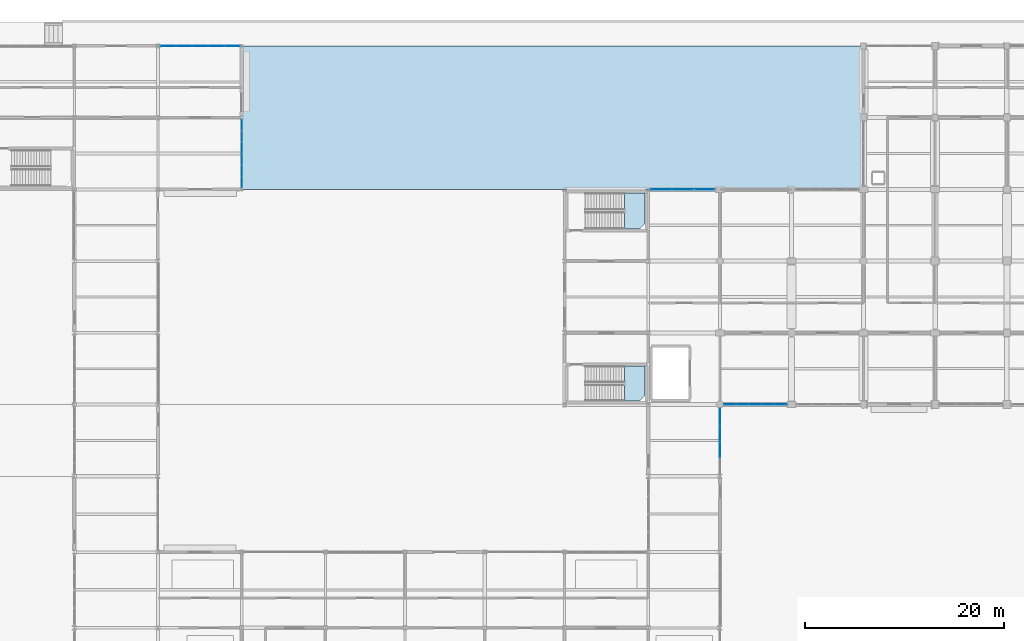
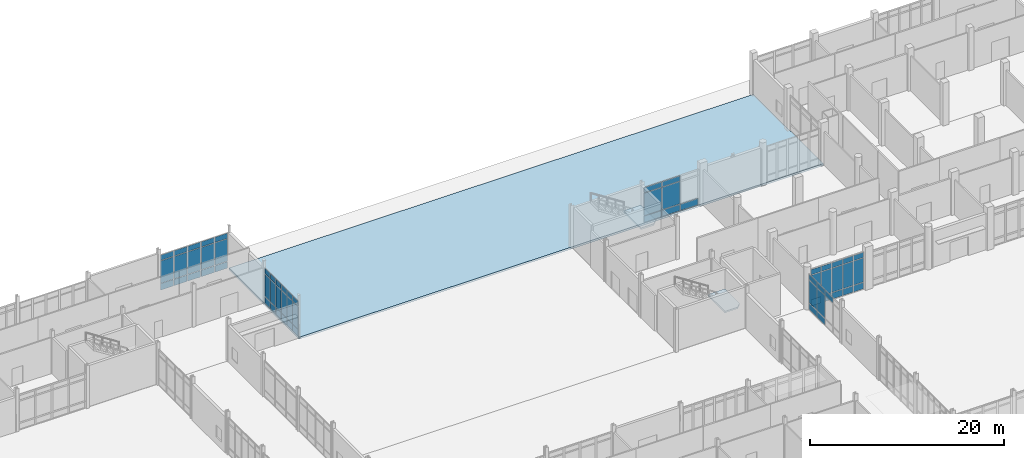
# One storey, part 152 of 229: 62 plates, 3 slabs, 7 elements without a shape of their own.
"""IFC4 building model written with IfcOpenShell, lengths in metres."""

from ifc_helpers import new_model, si_unit, direction, frame, origin, origin_2d, place, context, subcontext, project, spatial, polyline, rectangle, outline, extrude, material, layer, layer_set, type_object, element, aggregate, save


model = new_model("IFC4")

# Units and contexts
model_context = context("Model", 3, precision=1e-05, world=origin(), true_north=direction((0.0, 1.0)))
body_context = subcontext(model_context, "Body", "Model", "MODEL_VIEW")
ifc_project = project(units=[si_unit("LENGTHUNIT", "METRE"), si_unit("AREAUNIT", "SQUARE_METRE"), si_unit("VOLUMEUNIT", "CUBIC_METRE"), si_unit("PLANEANGLEUNIT", "RADIAN"), si_unit("MASSUNIT", "GRAM", prefix="KILO")], contexts=[model_context])

# Site, building, storey
site_placement = place(None, origin())
site = spatial("IfcSite", under=ifc_project, at=site_placement, CompositionType="ELEMENT")
building_placement = place(site_placement, origin())
building = spatial("IfcBuilding", under=site, at=building_placement, Name="Calvrana Isthmian Art Gallery", CompositionType="ELEMENT")
storey_placement = place(building_placement, origin())
storey = spatial("IfcBuildingStorey", under=building, at=storey_placement, Name="L00", CompositionType="ELEMENT", Elevation=0.0)

# Curtain wall, plates
ifc_material_1 = material(Name="Anodized bronze aluminium 6063-T6", Category="aluminium")
ifc_layer_1 = layer(ifc_material_1, 0.179931640625, Name="Anodized bronze aluminium 6063-T6")
ifc_layer_set_1 = layer_set([ifc_layer_1], Name="Anodized bronze aluminium 6063-T6")
curtain_wall_type_1 = type_object("IfcCurtainWallType", Name="CW-STICK-064X47", PredefinedType="NOTDEFINED", material=ifc_layer_set_1)
curtain_wall_1_placement = place(storey_placement, origin())
curtain_wall_1 = element("IfcCurtainWall", 1, at=curtain_wall_1_placement, inside=storey, type_object=curtain_wall_type_1, Name="Curtain wall CW-032", PredefinedType="NOTDEFINED")
ifc_material_2 = material(Name="Low-E laminated solar glass", Category="glass")
ifc_layer_2 = layer(ifc_material_2, 0.028076171875, Name="Low-E laminated solar glass")
ifc_layer_set_2 = layer_set([ifc_layer_2], Name="Low-E laminated solar glass")
plate_type = type_object("IfcPlateType", Name="CWP-VISION-28", PredefinedType="CURTAIN_PANEL", material=ifc_layer_set_2)
plate_1_placement = place(storey_placement, frame((126.09619140625, 76.800048828125, 0.06494140625), z_axis=(0.0, 0.0, 1.0), x_axis=(-1.0, 0.0, 0.0)))
plate_1 = element("IfcPlate", 2, at=plate_1_placement, type_object=plate_type, Name="CW-032 panel 1.1", PredefinedType="CURTAIN_PANEL", context=body_context, shape_type="SweptSolid", body=[
    extrude(rectangle(XDim=1.177490234375, YDim=0.028076171875, at=origin_2d()), origin(), (0.0, 0.0, 1.0), 0.802490234375),
])
plate_2_placement = place(storey_placement, frame((126.09619140625, 76.800048828125, 0.9326171875), z_axis=(0.0, 0.0, 1.0), x_axis=(-1.0, 0.0, 0.0)))
plate_2 = element("IfcPlate", 3, at=plate_2_placement, type_object=plate_type, Name="CW-032 panel 1.2", PredefinedType="CURTAIN_PANEL", context=body_context, shape_type="SweptSolid", body=[
    extrude(rectangle(XDim=1.177490234375, YDim=0.028076171875, at=origin_2d()), origin(), (0.0, 0.0, 1.0), 3.009033203125),
])
plate_3_placement = place(storey_placement, frame((126.09619140625, 76.800048828125, 4.00634765625), z_axis=(0.0, 0.0, 1.0), x_axis=(-1.0, 0.0, 0.0)))
plate_3 = element("IfcPlate", 4, at=plate_3_placement, type_object=plate_type, Name="CW-032 panel 1.3", PredefinedType="CURTAIN_PANEL", context=body_context, shape_type="SweptSolid", body=[
    extrude(rectangle(XDim=1.177490234375, YDim=0.028076171875, at=origin_2d()), origin(), (0.0, 0.0, 1.0), 0.652587890625),
])
plate_4_placement = place(storey_placement, frame((124.83740234375, 76.800048828125, 0.06494140625), z_axis=(0.0, 0.0, 1.0), x_axis=(-1.0, 0.0, 0.0)))
plate_4 = element("IfcPlate", 5, at=plate_4_placement, type_object=plate_type, Name="CW-032 panel 2.1", PredefinedType="CURTAIN_PANEL", context=body_context, shape_type="SweptSolid", body=[
    extrude(rectangle(XDim=1.2099609375, YDim=0.028076171875, at=origin_2d()), origin(), (0.0, 0.0, 1.0), 0.802490234375),
])
plate_5_placement = place(storey_placement, frame((124.83740234375, 76.800048828125, 0.9326171875), z_axis=(0.0, 0.0, 1.0), x_axis=(-1.0, 0.0, 0.0)))
plate_5 = element("IfcPlate", 6, at=plate_5_placement, type_object=plate_type, Name="CW-032 panel 2.2", PredefinedType="CURTAIN_PANEL", context=body_context, shape_type="SweptSolid", body=[
    extrude(rectangle(XDim=1.2099609375, YDim=0.028076171875, at=origin_2d()), origin(), (0.0, 0.0, 1.0), 3.009033203125),
])
plate_6_placement = place(storey_placement, frame((124.83740234375, 76.800048828125, 4.00634765625), z_axis=(0.0, 0.0, 1.0), x_axis=(-1.0, 0.0, 0.0)))
plate_6 = element("IfcPlate", 7, at=plate_6_placement, type_object=plate_type, Name="CW-032 panel 2.3", PredefinedType="CURTAIN_PANEL", context=body_context, shape_type="SweptSolid", body=[
    extrude(rectangle(XDim=1.2099609375, YDim=0.028076171875, at=origin_2d()), origin(), (0.0, 0.0, 1.0), 0.652587890625),
])
plate_7_placement = place(storey_placement, frame((123.5625, 76.800048828125, 0.06494140625), z_axis=(0.0, 0.0, 1.0), x_axis=(-1.0, 0.0, 0.0)))
plate_7 = element("IfcPlate", 8, at=plate_7_placement, type_object=plate_type, Name="CW-032 panel 3.1", PredefinedType="CURTAIN_PANEL", context=body_context, shape_type="SweptSolid", body=[
    extrude(rectangle(XDim=1.2099609375, YDim=0.028076171875, at=origin_2d()), origin(), (0.0, 0.0, 1.0), 0.802490234375),
])
plate_8_placement = place(storey_placement, frame((123.5625, 76.800048828125, 0.9326171875), z_axis=(0.0, 0.0, 1.0), x_axis=(-1.0, 0.0, 0.0)))
plate_8 = element("IfcPlate", 9, at=plate_8_placement, type_object=plate_type, Name="CW-032 panel 3.2", PredefinedType="CURTAIN_PANEL", context=body_context, shape_type="SweptSolid", body=[
    extrude(rectangle(XDim=1.2099609375, YDim=0.028076171875, at=origin_2d()), origin(), (0.0, 0.0, 1.0), 3.009033203125),
])
plate_9_placement = place(storey_placement, frame((123.5625, 76.800048828125, 4.00634765625), z_axis=(0.0, 0.0, 1.0), x_axis=(-1.0, 0.0, 0.0)))
plate_9 = element("IfcPlate", 10, at=plate_9_placement, type_object=plate_type, Name="CW-032 panel 3.3", PredefinedType="CURTAIN_PANEL", context=body_context, shape_type="SweptSolid", body=[
    extrude(rectangle(XDim=1.2099609375, YDim=0.028076171875, at=origin_2d()), origin(), (0.0, 0.0, 1.0), 0.652587890625),
])
plate_10_placement = place(storey_placement, frame((122.28759765625, 76.800048828125, 0.06494140625), z_axis=(0.0, 0.0, 1.0), x_axis=(-1.0, 0.0, 0.0)))
plate_10 = element("IfcPlate", 11, at=plate_10_placement, type_object=plate_type, Name="CW-032 panel 4.1", PredefinedType="CURTAIN_PANEL", context=body_context, shape_type="SweptSolid", body=[
    extrude(rectangle(XDim=1.2099609375, YDim=0.028076171875, at=origin_2d()), origin(), (0.0, 0.0, 1.0), 0.802490234375),
])
plate_11_placement = place(storey_placement, frame((122.28759765625, 76.800048828125, 0.9326171875), z_axis=(0.0, 0.0, 1.0), x_axis=(-1.0, 0.0, 0.0)))
plate_11 = element("IfcPlate", 12, at=plate_11_placement, type_object=plate_type, Name="CW-032 panel 4.2", PredefinedType="CURTAIN_PANEL", context=body_context, shape_type="SweptSolid", body=[
    extrude(rectangle(XDim=1.2099609375, YDim=0.028076171875, at=origin_2d()), origin(), (0.0, 0.0, 1.0), 3.009033203125),
])
plate_12_placement = place(storey_placement, frame((122.28759765625, 76.800048828125, 4.00634765625), z_axis=(0.0, 0.0, 1.0), x_axis=(-1.0, 0.0, 0.0)))
plate_12 = element("IfcPlate", 13, at=plate_12_placement, type_object=plate_type, Name="CW-032 panel 4.3", PredefinedType="CURTAIN_PANEL", context=body_context, shape_type="SweptSolid", body=[
    extrude(rectangle(XDim=1.2099609375, YDim=0.028076171875, at=origin_2d()), origin(), (0.0, 0.0, 1.0), 0.652587890625),
])
plate_13_placement = place(storey_placement, frame((121.02880859375, 76.800048828125, 0.06494140625), z_axis=(0.0, 0.0, 1.0), x_axis=(-1.0, 0.0, 0.0)))
plate_13 = element("IfcPlate", 14, at=plate_13_placement, type_object=plate_type, Name="CW-032 panel 5.1", PredefinedType="CURTAIN_PANEL", context=body_context, shape_type="SweptSolid", body=[
    extrude(rectangle(XDim=1.177490234375, YDim=0.028076171875, at=origin_2d()), origin(), (0.0, 0.0, 1.0), 0.802490234375),
])
plate_14_placement = place(storey_placement, frame((121.02880859375, 76.800048828125, 0.9326171875), z_axis=(0.0, 0.0, 1.0), x_axis=(-1.0, 0.0, 0.0)))
plate_14 = element("IfcPlate", 15, at=plate_14_placement, type_object=plate_type, Name="CW-032 panel 5.2", PredefinedType="CURTAIN_PANEL", context=body_context, shape_type="SweptSolid", body=[
    extrude(rectangle(XDim=1.177490234375, YDim=0.028076171875, at=origin_2d()), origin(), (0.0, 0.0, 1.0), 3.009033203125),
])
plate_15_placement = place(storey_placement, frame((121.02880859375, 76.800048828125, 4.00634765625), z_axis=(0.0, 0.0, 1.0), x_axis=(-1.0, 0.0, 0.0)))
plate_15 = element("IfcPlate", 16, at=plate_15_placement, type_object=plate_type, Name="CW-032 panel 5.3", PredefinedType="CURTAIN_PANEL", context=body_context, shape_type="SweptSolid", body=[
    extrude(rectangle(XDim=1.177490234375, YDim=0.028076171875, at=origin_2d()), origin(), (0.0, 0.0, 1.0), 0.652587890625),
])
aggregate(curtain_wall_1, [plate_1, plate_2, plate_3, plate_4, plate_5, plate_6, plate_7, plate_8, plate_9, plate_10, plate_11, plate_12, plate_13, plate_14, plate_15])

ifc_layer_3 = layer(ifc_material_1, 0.179931640625, Name="Anodized bronze aluminium 6063-T6")
ifc_layer_set_3 = layer_set([ifc_layer_3], Name="Anodized bronze aluminium 6063-T6")
curtain_wall_type_2 = type_object("IfcCurtainWallType", Name="CW-STICK-066X45", PredefinedType="NOTDEFINED", material=ifc_layer_set_3)
curtain_wall_2_placement = place(storey_placement, origin())
curtain_wall_2 = element("IfcCurtainWall", 17, at=curtain_wall_2_placement, inside=storey, type_object=curtain_wall_type_2, Name="Curtain wall CW-039", PredefinedType="NOTDEFINED")
plate_16_placement = place(storey_placement, frame((114.097900390625, 98.39990234375, 0.074951171875), z_axis=(0.0, 0.0, 1.0), x_axis=(1.0, 0.0, 0.0)))
plate_16 = element("IfcPlate", 18, at=plate_16_placement, type_object=plate_type, Name="CW-039 panel 1.1", PredefinedType="CURTAIN_PANEL", context=body_context, shape_type="SweptSolid", body=[
    extrude(rectangle(XDim=2.082763671875, YDim=0.028076171875, at=origin_2d()), origin(), (0.0, 0.0, 1.0), 0.78759765625),
])
plate_17_placement = place(storey_placement, frame((114.097900390625, 98.39990234375, 0.9375), z_axis=(0.0, 0.0, 1.0), x_axis=(1.0, 0.0, 0.0)))
plate_17 = element("IfcPlate", 19, at=plate_17_placement, type_object=plate_type, Name="CW-039 panel 1.2", PredefinedType="CURTAIN_PANEL", context=body_context, shape_type="SweptSolid", body=[
    extrude(rectangle(XDim=2.082763671875, YDim=0.028076171875, at=origin_2d()), origin(), (0.0, 0.0, 1.0), 2.805908203125),
])
plate_18_placement = place(storey_placement, frame((114.097900390625, 98.39990234375, 3.818359375), z_axis=(0.0, 0.0, 1.0), x_axis=(1.0, 0.0, 0.0)))
plate_18 = element("IfcPlate", 20, at=plate_18_placement, type_object=plate_type, Name="CW-039 panel 1.3", PredefinedType="CURTAIN_PANEL", context=body_context, shape_type="SweptSolid", body=[
    extrude(rectangle(XDim=2.082763671875, YDim=0.028076171875, at=origin_2d()), origin(), (0.0, 0.0, 1.0), 0.637451171875),
])
plate_19_placement = place(storey_placement, frame((116.268310546875, 98.39990234375, 0.074951171875), z_axis=(0.0, 0.0, 1.0), x_axis=(1.0, 0.0, 0.0)))
plate_19 = element("IfcPlate", 21, at=plate_19_placement, type_object=plate_type, Name="CW-039 panel 2.1", PredefinedType="CURTAIN_PANEL", context=body_context, shape_type="SweptSolid", body=[
    extrude(rectangle(XDim=2.117919921875, YDim=0.028076171875, at=origin_2d()), origin(), (0.0, 0.0, 1.0), 0.78759765625),
])
plate_20_placement = place(storey_placement, frame((116.268310546875, 98.39990234375, 0.9375), z_axis=(0.0, 0.0, 1.0), x_axis=(1.0, 0.0, 0.0)))
plate_20 = element("IfcPlate", 22, at=plate_20_placement, type_object=plate_type, Name="CW-039 panel 2.2", PredefinedType="CURTAIN_PANEL", context=body_context, shape_type="SweptSolid", body=[
    extrude(rectangle(XDim=2.117919921875, YDim=0.028076171875, at=origin_2d()), origin(), (0.0, 0.0, 1.0), 2.805908203125),
])
plate_21_placement = place(storey_placement, frame((116.268310546875, 98.39990234375, 3.818359375), z_axis=(0.0, 0.0, 1.0), x_axis=(1.0, 0.0, 0.0)))
plate_21 = element("IfcPlate", 23, at=plate_21_placement, type_object=plate_type, Name="CW-039 panel 2.3", PredefinedType="CURTAIN_PANEL", context=body_context, shape_type="SweptSolid", body=[
    extrude(rectangle(XDim=2.117919921875, YDim=0.028076171875, at=origin_2d()), origin(), (0.0, 0.0, 1.0), 0.637451171875),
])
plate_22_placement = place(storey_placement, frame((118.4384765625, 98.39990234375, 0.074951171875), z_axis=(0.0, 0.0, 1.0), x_axis=(1.0, 0.0, 0.0)))
plate_22 = element("IfcPlate", 24, at=plate_22_placement, type_object=plate_type, Name="CW-039 panel 3.1", PredefinedType="CURTAIN_PANEL", context=body_context, shape_type="SweptSolid", body=[
    extrude(rectangle(XDim=2.082763671875, YDim=0.028076171875, at=origin_2d()), origin(), (0.0, 0.0, 1.0), 0.78759765625),
])
aggregate(curtain_wall_2, [plate_16, plate_17, plate_18, plate_19, plate_20, plate_21, plate_22])

ifc_layer_4 = layer(ifc_material_1, 0.179931640625, Name="Anodized bronze aluminium 6063-T6")
ifc_layer_set_4 = layer_set([ifc_layer_4], Name="Anodized bronze aluminium 6063-T6")
curtain_wall_type_3 = type_object("IfcCurtainWallType", Name="CW-UNIT-081X45", PredefinedType="USERDEFINED", material=ifc_layer_set_4)
curtain_wall_3_placement = place(storey_placement, origin())
curtain_wall_3 = element("IfcCurtainWall", 25, at=curtain_wall_3_placement, inside=storey, type_object=curtain_wall_type_3, Name="Curtain wall CW-046", ObjectType="UNITISED CURTAIN WALL", PredefinedType="USERDEFINED")
plate_23_placement = place(storey_placement, frame((64.6142578125, 112.800048828125, 0.06005859375), z_axis=(0.0, 0.0, 1.0), x_axis=(1.0, 0.0, 0.0)))
plate_23 = element("IfcPlate", 26, at=plate_23_placement, type_object=plate_type, Name="CW-046 panel 1.1", PredefinedType="CURTAIN_PANEL", context=body_context, shape_type="SweptSolid", body=[
    extrude(rectangle(XDim=1.510498046875, YDim=0.028076171875, at=origin_2d()), origin(), (0.0, 0.0, 1.0), 0.81005859375),
])
plate_24_placement = place(storey_placement, frame((64.6142578125, 112.800048828125, 0.929931640625), z_axis=(0.0, 0.0, 1.0), x_axis=(1.0, 0.0, 0.0)))
plate_24 = element("IfcPlate", 27, at=plate_24_placement, type_object=plate_type, Name="CW-046 panel 1.2", PredefinedType="CURTAIN_PANEL", context=body_context, shape_type="SweptSolid", body=[
    extrude(rectangle(XDim=1.510498046875, YDim=0.028076171875, at=origin_2d()), origin(), (0.0, 0.0, 1.0), 2.80810546875),
])
plate_25_placement = place(storey_placement, frame((64.6142578125, 112.800048828125, 3.7978515625), z_axis=(0.0, 0.0, 1.0), x_axis=(1.0, 0.0, 0.0)))
plate_25 = element("IfcPlate", 28, at=plate_25_placement, type_object=plate_type, Name="CW-046 panel 1.3", PredefinedType="CURTAIN_PANEL", context=body_context, shape_type="SweptSolid", body=[
    extrude(rectangle(XDim=1.510498046875, YDim=0.028076171875, at=origin_2d()), origin(), (0.0, 0.0, 1.0), 0.659912109375),
])
plate_26_placement = place(storey_placement, frame((66.21826171875, 112.800048828125, 0.06005859375), z_axis=(0.0, 0.0, 1.0), x_axis=(1.0, 0.0, 0.0)))
plate_26 = element("IfcPlate", 29, at=plate_26_placement, type_object=plate_type, Name="CW-046 panel 2.1", PredefinedType="CURTAIN_PANEL", context=body_context, shape_type="SweptSolid", body=[
    extrude(rectangle(XDim=1.5478515625, YDim=0.028076171875, at=origin_2d()), origin(), (0.0, 0.0, 1.0), 0.81005859375),
])
plate_27_placement = place(storey_placement, frame((66.21826171875, 112.800048828125, 0.929931640625), z_axis=(0.0, 0.0, 1.0), x_axis=(1.0, 0.0, 0.0)))
plate_27 = element("IfcPlate", 30, at=plate_27_placement, type_object=plate_type, Name="CW-046 panel 2.2", PredefinedType="CURTAIN_PANEL", context=body_context, shape_type="SweptSolid", body=[
    extrude(rectangle(XDim=1.5478515625, YDim=0.028076171875, at=origin_2d()), origin(), (0.0, 0.0, 1.0), 2.80810546875),
])
plate_28_placement = place(storey_placement, frame((66.21826171875, 112.800048828125, 3.7978515625), z_axis=(0.0, 0.0, 1.0), x_axis=(1.0, 0.0, 0.0)))
plate_28 = element("IfcPlate", 31, at=plate_28_placement, type_object=plate_type, Name="CW-046 panel 2.3", PredefinedType="CURTAIN_PANEL", context=body_context, shape_type="SweptSolid", body=[
    extrude(rectangle(XDim=1.5478515625, YDim=0.028076171875, at=origin_2d()), origin(), (0.0, 0.0, 1.0), 0.659912109375),
])
plate_29_placement = place(storey_placement, frame((67.84130859375, 112.800048828125, 0.06005859375), z_axis=(0.0, 0.0, 1.0), x_axis=(1.0, 0.0, 0.0)))
plate_29 = element("IfcPlate", 32, at=plate_29_placement, type_object=plate_type, Name="CW-046 panel 3.1", PredefinedType="CURTAIN_PANEL", context=body_context, shape_type="SweptSolid", body=[
    extrude(rectangle(XDim=1.5478515625, YDim=0.028076171875, at=origin_2d()), origin(), (0.0, 0.0, 1.0), 0.81005859375),
])
plate_30_placement = place(storey_placement, frame((67.84130859375, 112.800048828125, 0.929931640625), z_axis=(0.0, 0.0, 1.0), x_axis=(1.0, 0.0, 0.0)))
plate_30 = element("IfcPlate", 33, at=plate_30_placement, type_object=plate_type, Name="CW-046 panel 3.2", PredefinedType="CURTAIN_PANEL", context=body_context, shape_type="SweptSolid", body=[
    extrude(rectangle(XDim=1.5478515625, YDim=0.028076171875, at=origin_2d()), origin(), (0.0, 0.0, 1.0), 2.80810546875),
])
plate_31_placement = place(storey_placement, frame((67.84130859375, 112.800048828125, 3.7978515625), z_axis=(0.0, 0.0, 1.0), x_axis=(1.0, 0.0, 0.0)))
plate_31 = element("IfcPlate", 34, at=plate_31_placement, type_object=plate_type, Name="CW-046 panel 3.3", PredefinedType="CURTAIN_PANEL", context=body_context, shape_type="SweptSolid", body=[
    extrude(rectangle(XDim=1.5478515625, YDim=0.028076171875, at=origin_2d()), origin(), (0.0, 0.0, 1.0), 0.659912109375),
])
plate_32_placement = place(storey_placement, frame((69.464111328125, 112.800048828125, 0.06005859375), z_axis=(0.0, 0.0, 1.0), x_axis=(1.0, 0.0, 0.0)))
plate_32 = element("IfcPlate", 35, at=plate_32_placement, type_object=plate_type, Name="CW-046 panel 4.1", PredefinedType="CURTAIN_PANEL", context=body_context, shape_type="SweptSolid", body=[
    extrude(rectangle(XDim=1.5478515625, YDim=0.028076171875, at=origin_2d()), origin(), (0.0, 0.0, 1.0), 0.81005859375),
])
plate_33_placement = place(storey_placement, frame((69.464111328125, 112.800048828125, 0.929931640625), z_axis=(0.0, 0.0, 1.0), x_axis=(1.0, 0.0, 0.0)))
plate_33 = element("IfcPlate", 36, at=plate_33_placement, type_object=plate_type, Name="CW-046 panel 4.2", PredefinedType="CURTAIN_PANEL", context=body_context, shape_type="SweptSolid", body=[
    extrude(rectangle(XDim=1.5478515625, YDim=0.028076171875, at=origin_2d()), origin(), (0.0, 0.0, 1.0), 2.80810546875),
])
plate_34_placement = place(storey_placement, frame((69.464111328125, 112.800048828125, 3.7978515625), z_axis=(0.0, 0.0, 1.0), x_axis=(1.0, 0.0, 0.0)))
plate_34 = element("IfcPlate", 37, at=plate_34_placement, type_object=plate_type, Name="CW-046 panel 4.3", PredefinedType="CURTAIN_PANEL", context=body_context, shape_type="SweptSolid", body=[
    extrude(rectangle(XDim=1.5478515625, YDim=0.028076171875, at=origin_2d()), origin(), (0.0, 0.0, 1.0), 0.659912109375),
])
plate_35_placement = place(storey_placement, frame((71.068115234375, 112.800048828125, 0.06005859375), z_axis=(0.0, 0.0, 1.0), x_axis=(1.0, 0.0, 0.0)))
plate_35 = element("IfcPlate", 38, at=plate_35_placement, type_object=plate_type, Name="CW-046 panel 5.1", PredefinedType="CURTAIN_PANEL", context=body_context, shape_type="SweptSolid", body=[
    extrude(rectangle(XDim=1.510498046875, YDim=0.028076171875, at=origin_2d()), origin(), (0.0, 0.0, 1.0), 0.81005859375),
])
plate_36_placement = place(storey_placement, frame((71.068115234375, 112.800048828125, 0.929931640625), z_axis=(0.0, 0.0, 1.0), x_axis=(1.0, 0.0, 0.0)))
plate_36 = element("IfcPlate", 39, at=plate_36_placement, type_object=plate_type, Name="CW-046 panel 5.2", PredefinedType="CURTAIN_PANEL", context=body_context, shape_type="SweptSolid", body=[
    extrude(rectangle(XDim=1.510498046875, YDim=0.028076171875, at=origin_2d()), origin(), (0.0, 0.0, 1.0), 2.80810546875),
])
plate_37_placement = place(storey_placement, frame((71.068115234375, 112.800048828125, 3.7978515625), z_axis=(0.0, 0.0, 1.0), x_axis=(1.0, 0.0, 0.0)))
plate_37 = element("IfcPlate", 40, at=plate_37_placement, type_object=plate_type, Name="CW-046 panel 5.3", PredefinedType="CURTAIN_PANEL", context=body_context, shape_type="SweptSolid", body=[
    extrude(rectangle(XDim=1.510498046875, YDim=0.028076171875, at=origin_2d()), origin(), (0.0, 0.0, 1.0), 0.659912109375),
])
aggregate(curtain_wall_3, [plate_23, plate_24, plate_25, plate_26, plate_27, plate_28, plate_29, plate_30, plate_31, plate_32, plate_33, plate_34, plate_35, plate_36, plate_37])

ifc_layer_5 = layer(ifc_material_1, 0.179931640625, Name="Anodized bronze aluminium 6063-T6")
ifc_layer_set_5 = layer_set([ifc_layer_5], Name="Anodized bronze aluminium 6063-T6")
curtain_wall_type_4 = type_object("IfcCurtainWallType", Name="CW-UNIT-069X45", PredefinedType="USERDEFINED", material=ifc_layer_set_5)
curtain_wall_4_placement = place(storey_placement, origin())
curtain_wall_4 = element("IfcCurtainWall", 41, at=curtain_wall_4_placement, inside=storey, type_object=curtain_wall_type_4, Name="Curtain wall CW-068", ObjectType="UNITISED CURTAIN WALL", PredefinedType="USERDEFINED")
plate_38_placement = place(storey_placement, frame((72.0, 104.856689453125, 0.070068359375), z_axis=(0.0, 0.0, 1.0), x_axis=(0.0, -1.0, 0.0)))
plate_38 = element("IfcPlate", 42, at=plate_38_placement, type_object=plate_type, Name="CW-068 panel 1.1", PredefinedType="CURTAIN_PANEL", context=body_context, shape_type="SweptSolid", body=[
    extrude(rectangle(XDim=1.0517578125, YDim=0.028076171875, at=origin_2d()), origin(), (0.0, 0.0, 1.0), 0.794921875),
])
plate_39_placement = place(storey_placement, frame((72.0, 104.856689453125, 0.93505859375), z_axis=(0.0, 0.0, 1.0), x_axis=(0.0, -1.0, 0.0)))
plate_39 = element("IfcPlate", 43, at=plate_39_placement, type_object=plate_type, Name="CW-068 panel 1.2", PredefinedType="CURTAIN_PANEL", context=body_context, shape_type="SweptSolid", body=[
    extrude(rectangle(XDim=1.0517578125, YDim=0.028076171875, at=origin_2d()), origin(), (0.0, 0.0, 1.0), 2.80810546875),
])
plate_40_placement = place(storey_placement, frame((72.0, 104.856689453125, 3.81298828125), z_axis=(0.0, 0.0, 1.0), x_axis=(0.0, -1.0, 0.0)))
plate_40 = element("IfcPlate", 44, at=plate_40_placement, type_object=plate_type, Name="CW-068 panel 1.3", PredefinedType="CURTAIN_PANEL", context=body_context, shape_type="SweptSolid", body=[
    extrude(rectangle(XDim=1.0517578125, YDim=0.028076171875, at=origin_2d()), origin(), (0.0, 0.0, 1.0), 0.64501953125),
])
plate_41_placement = place(storey_placement, frame((72.0, 103.723876953125, 0.070068359375), z_axis=(0.0, 0.0, 1.0), x_axis=(0.0, -1.0, 0.0)))
plate_41 = element("IfcPlate", 45, at=plate_41_placement, type_object=plate_type, Name="CW-068 panel 2.1", PredefinedType="CURTAIN_PANEL", context=body_context, shape_type="SweptSolid", body=[
    extrude(rectangle(XDim=1.084228515625, YDim=0.028076171875, at=origin_2d()), origin(), (0.0, 0.0, 1.0), 0.794921875),
])
plate_42_placement = place(storey_placement, frame((72.0, 103.723876953125, 0.93505859375), z_axis=(0.0, 0.0, 1.0), x_axis=(0.0, -1.0, 0.0)))
plate_42 = element("IfcPlate", 46, at=plate_42_placement, type_object=plate_type, Name="CW-068 panel 2.2", PredefinedType="CURTAIN_PANEL", context=body_context, shape_type="SweptSolid", body=[
    extrude(rectangle(XDim=1.084228515625, YDim=0.028076171875, at=origin_2d()), origin(), (0.0, 0.0, 1.0), 2.80810546875),
])
plate_43_placement = place(storey_placement, frame((72.0, 103.723876953125, 3.81298828125), z_axis=(0.0, 0.0, 1.0), x_axis=(0.0, -1.0, 0.0)))
plate_43 = element("IfcPlate", 47, at=plate_43_placement, type_object=plate_type, Name="CW-068 panel 2.3", PredefinedType="CURTAIN_PANEL", context=body_context, shape_type="SweptSolid", body=[
    extrude(rectangle(XDim=1.084228515625, YDim=0.028076171875, at=origin_2d()), origin(), (0.0, 0.0, 1.0), 0.64501953125),
])
plate_44_placement = place(storey_placement, frame((72.0, 102.57470703125, 0.070068359375), z_axis=(0.0, 0.0, 1.0), x_axis=(0.0, -1.0, 0.0)))
plate_44 = element("IfcPlate", 48, at=plate_44_placement, type_object=plate_type, Name="CW-068 panel 3.1", PredefinedType="CURTAIN_PANEL", context=body_context, shape_type="SweptSolid", body=[
    extrude(rectangle(XDim=1.084228515625, YDim=0.028076171875, at=origin_2d()), origin(), (0.0, 0.0, 1.0), 0.794921875),
])
plate_45_placement = place(storey_placement, frame((72.0, 102.57470703125, 0.93505859375), z_axis=(0.0, 0.0, 1.0), x_axis=(0.0, -1.0, 0.0)))
plate_45 = element("IfcPlate", 49, at=plate_45_placement, type_object=plate_type, Name="CW-068 panel 3.2", PredefinedType="CURTAIN_PANEL", context=body_context, shape_type="SweptSolid", body=[
    extrude(rectangle(XDim=1.084228515625, YDim=0.028076171875, at=origin_2d()), origin(), (0.0, 0.0, 1.0), 2.80810546875),
])
plate_46_placement = place(storey_placement, frame((72.0, 102.57470703125, 3.81298828125), z_axis=(0.0, 0.0, 1.0), x_axis=(0.0, -1.0, 0.0)))
plate_46 = element("IfcPlate", 50, at=plate_46_placement, type_object=plate_type, Name="CW-068 panel 3.3", PredefinedType="CURTAIN_PANEL", context=body_context, shape_type="SweptSolid", body=[
    extrude(rectangle(XDim=1.084228515625, YDim=0.028076171875, at=origin_2d()), origin(), (0.0, 0.0, 1.0), 0.64501953125),
])
plate_47_placement = place(storey_placement, frame((72.0, 101.42529296875, 0.070068359375), z_axis=(0.0, 0.0, 1.0), x_axis=(0.0, -1.0, 0.0)))
plate_47 = element("IfcPlate", 51, at=plate_47_placement, type_object=plate_type, Name="CW-068 panel 4.1", PredefinedType="CURTAIN_PANEL", context=body_context, shape_type="SweptSolid", body=[
    extrude(rectangle(XDim=1.084228515625, YDim=0.028076171875, at=origin_2d()), origin(), (0.0, 0.0, 1.0), 0.794921875),
])
plate_48_placement = place(storey_placement, frame((72.0, 101.42529296875, 0.93505859375), z_axis=(0.0, 0.0, 1.0), x_axis=(0.0, -1.0, 0.0)))
plate_48 = element("IfcPlate", 52, at=plate_48_placement, type_object=plate_type, Name="CW-068 panel 4.2", PredefinedType="CURTAIN_PANEL", context=body_context, shape_type="SweptSolid", body=[
    extrude(rectangle(XDim=1.084228515625, YDim=0.028076171875, at=origin_2d()), origin(), (0.0, 0.0, 1.0), 2.80810546875),
])
plate_49_placement = place(storey_placement, frame((72.0, 101.42529296875, 3.81298828125), z_axis=(0.0, 0.0, 1.0), x_axis=(0.0, -1.0, 0.0)))
plate_49 = element("IfcPlate", 53, at=plate_49_placement, type_object=plate_type, Name="CW-068 panel 4.3", PredefinedType="CURTAIN_PANEL", context=body_context, shape_type="SweptSolid", body=[
    extrude(rectangle(XDim=1.084228515625, YDim=0.028076171875, at=origin_2d()), origin(), (0.0, 0.0, 1.0), 0.64501953125),
])
plate_50_placement = place(storey_placement, frame((72.0, 100.276123046875, 0.070068359375), z_axis=(0.0, 0.0, 1.0), x_axis=(0.0, -1.0, 0.0)))
plate_50 = element("IfcPlate", 54, at=plate_50_placement, type_object=plate_type, Name="CW-068 panel 5.1", PredefinedType="CURTAIN_PANEL", context=body_context, shape_type="SweptSolid", body=[
    extrude(rectangle(XDim=1.084228515625, YDim=0.028076171875, at=origin_2d()), origin(), (0.0, 0.0, 1.0), 0.794921875),
])
plate_51_placement = place(storey_placement, frame((72.0, 100.276123046875, 0.93505859375), z_axis=(0.0, 0.0, 1.0), x_axis=(0.0, -1.0, 0.0)))
plate_51 = element("IfcPlate", 55, at=plate_51_placement, type_object=plate_type, Name="CW-068 panel 5.2", PredefinedType="CURTAIN_PANEL", context=body_context, shape_type="SweptSolid", body=[
    extrude(rectangle(XDim=1.084228515625, YDim=0.028076171875, at=origin_2d()), origin(), (0.0, 0.0, 1.0), 2.80810546875),
])
plate_52_placement = place(storey_placement, frame((72.0, 100.276123046875, 3.81298828125), z_axis=(0.0, 0.0, 1.0), x_axis=(0.0, -1.0, 0.0)))
plate_52 = element("IfcPlate", 56, at=plate_52_placement, type_object=plate_type, Name="CW-068 panel 5.3", PredefinedType="CURTAIN_PANEL", context=body_context, shape_type="SweptSolid", body=[
    extrude(rectangle(XDim=1.084228515625, YDim=0.028076171875, at=origin_2d()), origin(), (0.0, 0.0, 1.0), 0.64501953125),
])
plate_53_placement = place(storey_placement, frame((72.0, 99.143310546875, 0.070068359375), z_axis=(0.0, 0.0, 1.0), x_axis=(0.0, -1.0, 0.0)))
plate_53 = element("IfcPlate", 57, at=plate_53_placement, type_object=plate_type, Name="CW-068 panel 6.1", PredefinedType="CURTAIN_PANEL", context=body_context, shape_type="SweptSolid", body=[
    extrude(rectangle(XDim=1.0517578125, YDim=0.028076171875, at=origin_2d()), origin(), (0.0, 0.0, 1.0), 0.794921875),
])
plate_54_placement = place(storey_placement, frame((72.0, 99.143310546875, 0.93505859375), z_axis=(0.0, 0.0, 1.0), x_axis=(0.0, -1.0, 0.0)))
plate_54 = element("IfcPlate", 58, at=plate_54_placement, type_object=plate_type, Name="CW-068 panel 6.2", PredefinedType="CURTAIN_PANEL", context=body_context, shape_type="SweptSolid", body=[
    extrude(rectangle(XDim=1.0517578125, YDim=0.028076171875, at=origin_2d()), origin(), (0.0, 0.0, 1.0), 2.80810546875),
])
plate_55_placement = place(storey_placement, frame((72.0, 99.143310546875, 3.81298828125), z_axis=(0.0, 0.0, 1.0), x_axis=(0.0, -1.0, 0.0)))
plate_55 = element("IfcPlate", 59, at=plate_55_placement, type_object=plate_type, Name="CW-068 panel 6.3", PredefinedType="CURTAIN_PANEL", context=body_context, shape_type="SweptSolid", body=[
    extrude(rectangle(XDim=1.0517578125, YDim=0.028076171875, at=origin_2d()), origin(), (0.0, 0.0, 1.0), 0.64501953125),
])
aggregate(curtain_wall_4, [plate_38, plate_39, plate_40, plate_41, plate_42, plate_43, plate_44, plate_45, plate_46, plate_47, plate_48, plate_49, plate_50, plate_51, plate_52, plate_53, plate_54, plate_55])

curtain_wall_5_placement = place(storey_placement, origin())
curtain_wall_5 = element("IfcCurtainWall", 60, at=curtain_wall_5_placement, inside=storey, type_object=curtain_wall_type_2, Name="Curtain wall CW-078", PredefinedType="NOTDEFINED")
plate_56_placement = place(storey_placement, frame((120.0, 75.5810546875, 0.070068359375), z_axis=(0.0, 0.0, 1.0), x_axis=(0.0, -1.0, 0.0)))
plate_56 = element("IfcPlate", 61, at=plate_56_placement, type_object=plate_type, Name="CW-078 panel 1.1", PredefinedType="CURTAIN_PANEL", context=body_context, shape_type="SweptSolid", body=[
    extrude(rectangle(XDim=1.568115234375, YDim=0.028076171875, at=origin_2d()), origin(), (0.0, 0.0, 1.0), 0.794921875),
])
plate_57_placement = place(storey_placement, frame((120.0, 75.5810546875, 0.93505859375), z_axis=(0.0, 0.0, 1.0), x_axis=(0.0, -1.0, 0.0)))
plate_57 = element("IfcPlate", 62, at=plate_57_placement, type_object=plate_type, Name="CW-078 panel 1.2", PredefinedType="CURTAIN_PANEL", context=body_context, shape_type="SweptSolid", body=[
    extrude(rectangle(XDim=1.568115234375, YDim=0.028076171875, at=origin_2d()), origin(), (0.0, 0.0, 1.0), 2.826904296875),
])
plate_58_placement = place(storey_placement, frame((120.0, 75.5810546875, 3.83203125), z_axis=(0.0, 0.0, 1.0), x_axis=(0.0, -1.0, 0.0)))
plate_58 = element("IfcPlate", 63, at=plate_58_placement, type_object=plate_type, Name="CW-078 panel 1.3", PredefinedType="CURTAIN_PANEL", context=body_context, shape_type="SweptSolid", body=[
    extrude(rectangle(XDim=1.568115234375, YDim=0.028076171875, at=origin_2d()), origin(), (0.0, 0.0, 1.0), 0.64501953125),
])
plate_59_placement = place(storey_placement, frame((120.0, 73.93798828125, 0.070068359375), z_axis=(0.0, 0.0, 1.0), x_axis=(0.0, -1.0, 0.0)))
plate_59 = element("IfcPlate", 64, at=plate_59_placement, type_object=plate_type, Name="CW-078 panel 2.1", PredefinedType="CURTAIN_PANEL", context=body_context, shape_type="SweptSolid", body=[
    extrude(rectangle(XDim=1.597900390625, YDim=0.028076171875, at=origin_2d()), origin(), (0.0, 0.0, 1.0), 0.794921875),
])
plate_60_placement = place(storey_placement, frame((120.0, 73.93798828125, 0.93505859375), z_axis=(0.0, 0.0, 1.0), x_axis=(0.0, -1.0, 0.0)))
plate_60 = element("IfcPlate", 65, at=plate_60_placement, type_object=plate_type, Name="CW-078 panel 2.2", PredefinedType="CURTAIN_PANEL", context=body_context, shape_type="SweptSolid", body=[
    extrude(rectangle(XDim=1.597900390625, YDim=0.028076171875, at=origin_2d()), origin(), (0.0, 0.0, 1.0), 2.826904296875),
])
plate_61_placement = place(storey_placement, frame((120.0, 73.93798828125, 3.83203125), z_axis=(0.0, 0.0, 1.0), x_axis=(0.0, -1.0, 0.0)))
plate_61 = element("IfcPlate", 66, at=plate_61_placement, type_object=plate_type, Name="CW-078 panel 2.3", PredefinedType="CURTAIN_PANEL", context=body_context, shape_type="SweptSolid", body=[
    extrude(rectangle(XDim=1.597900390625, YDim=0.028076171875, at=origin_2d()), origin(), (0.0, 0.0, 1.0), 0.64501953125),
])
plate_62_placement = place(storey_placement, frame((120.0, 72.280029296875, 3.83203125), z_axis=(0.0, 0.0, 1.0), x_axis=(0.0, -1.0, 0.0)))
plate_62 = element("IfcPlate", 67, at=plate_62_placement, type_object=plate_type, Name="CW-078 panel 3.3", PredefinedType="CURTAIN_PANEL", context=body_context, shape_type="SweptSolid", body=[
    extrude(rectangle(XDim=1.597900390625, YDim=0.028076171875, at=origin_2d()), origin(), (0.0, 0.0, 1.0), 0.64501953125),
])
aggregate(curtain_wall_5, [plate_56, plate_57, plate_58, plate_59, plate_60, plate_61, plate_62])

# Stair, slab
ifc_material_3 = material(Name="Concrete C40/50", Category="concrete")
stair_type_1 = type_object("IfcStairType", Name="STR-HT-540", PredefinedType="HALF_TURN_STAIR", material=ifc_material_3)
stair_1_placement = place(storey_placement, origin())
stair_1 = element("IfcStair", 68, at=stair_1_placement, inside=storey, type_object=stair_type_1, Name="Protected exit stair ST-5 (L00)", PredefinedType="HALF_TURN_STAIR")
ifc_layer_6 = layer(ifc_material_3, 0.199951171875, Name="Concrete C40/50")
ifc_layer_set_6 = layer_set([ifc_layer_6], Name="Concrete C40/50")
slab_type_1 = type_object("IfcSlabType", Name="SLB-LAND-200", PredefinedType="LANDING", material=ifc_layer_set_6)
slab_1_placement = place(storey_placement, frame((0.0, 0.0, 2.5)))
slab_1 = element("IfcSlab", 69, at=slab_1_placement, type_object=slab_type_1, Name="ST-5 landing 1", PredefinedType="LANDING", context=body_context, shape_type="SweptSolid", body=[
    extrude(outline(polyline([(110.419921875, 77.14990234375), (111.93994140625, 77.14990234375), (112.4599609375, 77.669921875), (112.4599609375, 80.669921875), (110.419921875, 80.669921875), (110.419921875, 77.14990234375)])), origin(), (0.0, 0.0, 1.0), 0.199951171875),
])
aggregate(stair_1, [slab_1])

stair_type_2 = type_object("IfcStairType", Name="STR-TSR-540", PredefinedType="TWO_STRAIGHT_RUN_STAIR", material=ifc_material_3)
stair_2_placement = place(storey_placement, origin())
stair_2 = element("IfcStair", 70, at=stair_2_placement, inside=storey, type_object=stair_type_2, Name="Protected exit stair ST-8 (L00)", PredefinedType="TWO_STRAIGHT_RUN_STAIR")
slab_2_placement = place(storey_placement, frame((0.0, 0.0, 2.5)))
slab_2 = element("IfcSlab", 71, at=slab_2_placement, type_object=slab_type_1, Name="ST-8 landing 1", PredefinedType="LANDING", context=body_context, shape_type="SweptSolid", body=[
    extrude(outline(polyline([(110.419921875, 94.429931640625), (111.93994140625, 94.429931640625), (112.4599609375, 94.949951171875), (112.4599609375, 98.030029296875), (110.419921875, 98.030029296875), (110.419921875, 94.429931640625)])), origin(), (0.0, 0.0, 1.0), 0.199951171875),
])
aggregate(stair_2, [slab_2])

# Slab
ifc_layer_7 = layer(ifc_material_3, 0.199951171875, Name="Concrete C40/50")
ifc_layer_set_7 = layer_set([ifc_layer_7], Name="Concrete C40/50")
slab_type_2 = type_object("IfcSlabType", Name="SLB-TER-200", PredefinedType="FLOOR", material=ifc_layer_set_7)
slab_3_placement = place(storey_placement, frame((0.0, 0.0, -0.25)))
element("IfcSlab", 72, at=slab_3_placement, inside=storey, type_object=slab_type_2, Name="Courtyard and entry plaza deck SLB_CYD_NE_N", PredefinedType="FLOOR", context=body_context, shape_type="SweptSolid", body=[
    extrude(outline(polyline([(134.39990234375, 98.39990234375), (134.39990234375, 112.800048828125), (72.0, 112.800048828125), (72.0, 98.39990234375), (134.39990234375, 98.39990234375)])), origin(), (0.0, 0.0, 1.0), 0.25),
])

save(model, "model.ifc")
